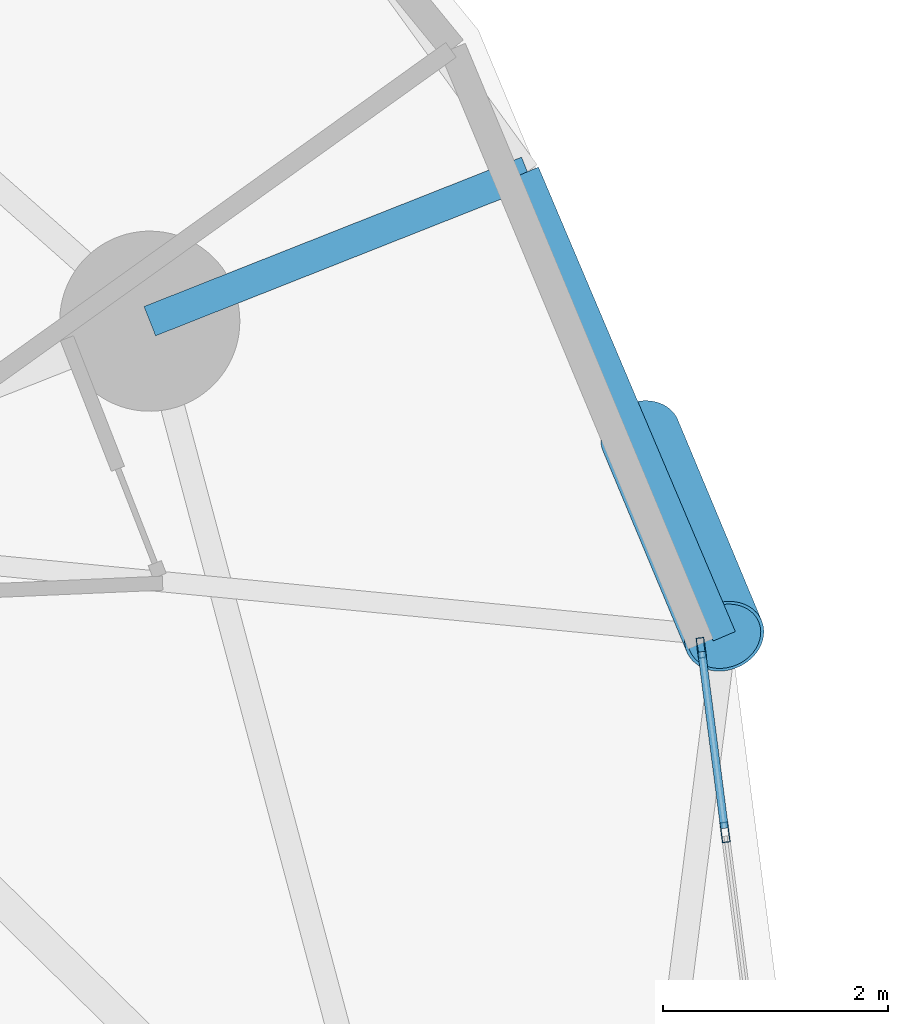
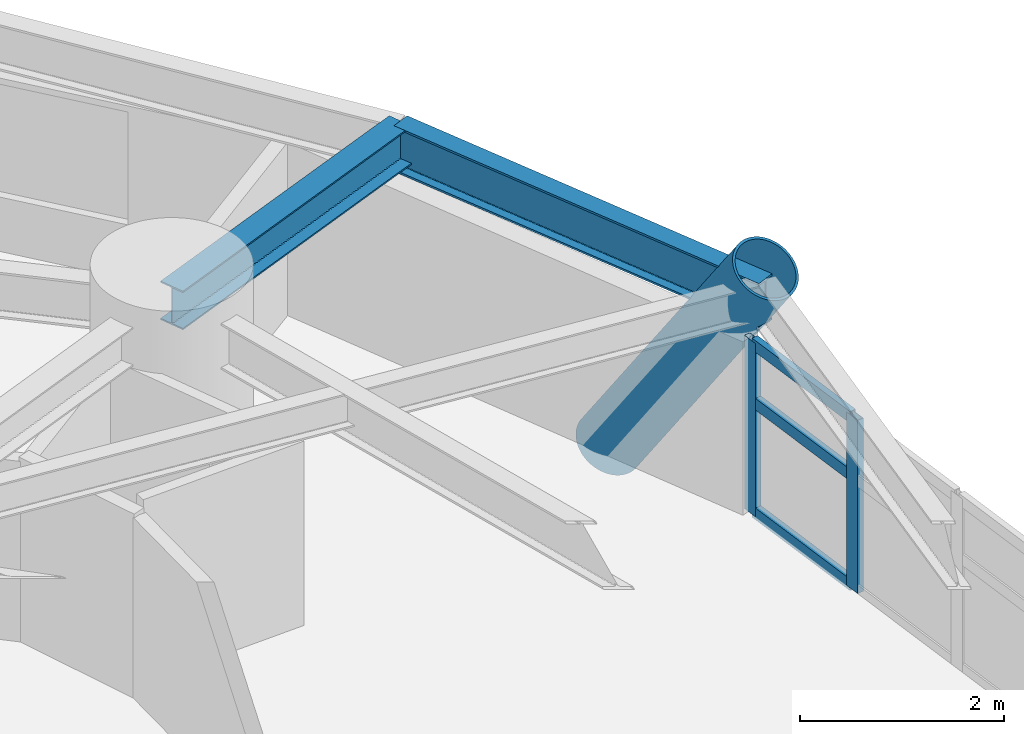
# One storey, part 4 of 18: 6 members, 2 beams, 1 element without a shape of its own.
"""IFC4 building model written with IfcOpenShell, lengths in metres."""

from ifc_helpers import new_model, si_unit, direction, frame, origin, origin_2d, place, context, subcontext, project, spatial, hollow_rectangle, hollow_circle, i_section, extrude, material, layer, layer_set, material_profile, profile_set, type_object, element, aggregate, save


model = new_model("IFC4")

# Units and contexts
model_context = context("Model", 3, precision=1e-05, world=origin(), true_north=direction((0.0, 1.0)))
body_context = subcontext(model_context, "Body", "Model", "MODEL_VIEW")
ifc_project = project(units=[si_unit("LENGTHUNIT", "METRE"), si_unit("AREAUNIT", "SQUARE_METRE"), si_unit("VOLUMEUNIT", "CUBIC_METRE"), si_unit("PLANEANGLEUNIT", "RADIAN"), si_unit("MASSUNIT", "GRAM", prefix="KILO")], contexts=[model_context])

# Site, building, storey
site_placement = place(None, origin())
site = spatial("IfcSite", under=ifc_project, at=site_placement, CompositionType="ELEMENT")
building_placement = place(site_placement, origin())
building = spatial("IfcBuilding", under=site, at=building_placement, Name="Cununo Teusaquillo Station Towers", CompositionType="ELEMENT")
storey_placement = place(building_placement, frame((0.0, 0.0, 36.550048828125)))
storey = spatial("IfcBuildingStorey", under=building, at=storey_placement, Name="L10", CompositionType="ELEMENT", Elevation=36.550048828125)

# Beams
ifc_material_1 = material(Name="Steel ASTM A572 Grade 50", Category="steel")
ifc_material_profile_1 = material_profile(ifc_material_1, i_section(OverallWidth=0.280029296875, OverallDepth=0.462890625, WebThickness=0.0107421875, FlangeThickness=0.017333984375, FilletRadius=0.013916015625, at=origin_2d()), Name="W18X76")
ifc_profile_set_1 = profile_set([ifc_material_profile_1], Name="Steel ASTM A572 Grade 50")
beam_type_1 = type_object("IfcBeamType", Name="BM-RAD-G1", PredefinedType="BEAM", material=ifc_profile_set_1)
beam_1_placement = place(storey_placement, frame((26.347412109375, 33.228515625, 2.41845703125), z_axis=(0.92986596044, 0.367898485476, 0.0), x_axis=(-0.367898485476, 0.92986596044, 0.0)))
element("IfcBeam", 1, at=beam_1_placement, inside=storey, type_object=beam_type_1, Name="L10 Tower A Perimeter Overhang Girder 02B", PredefinedType="BEAM", context=body_context, shape_type="SweptSolid", body=[
    extrude(i_section(OverallWidth=0.280029296875, OverallDepth=0.462890625, WebThickness=0.0107421875, FlangeThickness=0.017333984375, FilletRadius=0.013916015625, at=origin_2d()), origin(), (0.0, 0.0, 1.0), 3.606689453125),
])
ifc_material_2 = material(Name="Steel ASTM A572 Grade 50", Category="steel")
ifc_material_profile_2 = material_profile(ifc_material_2, i_section(OverallWidth=0.214111328125, OverallDepth=0.549072265625, WebThickness=0.0146484375, FlangeThickness=0.023681640625, FilletRadius=0.014892578125, at=origin_2d()), Name="W21X93")
ifc_profile_set_2 = profile_set([ifc_material_profile_2], Name="Steel ASTM A572 Grade 50")
beam_type_2 = type_object("IfcBeamType", Name="BM-RING-Z1", PredefinedType="SPANDREL", material=ifc_profile_set_2)
beam_2_placement = place(storey_placement, frame((31.44970703125, 30.429931640625, 2.37548828125), z_axis=(-0.390233589069, 0.920715887754, 0.0), x_axis=(-0.920715887754, -0.390233589069, 0.0)))
element("IfcBeam", 2, at=beam_2_placement, inside=storey, type_object=beam_type_2, Name="L10 Tower A Spandrel Ring Beam 02", PredefinedType="SPANDREL", context=body_context, shape_type="SweptSolid", body=[
    extrude(i_section(OverallWidth=0.214111328125, OverallDepth=0.549072265625, WebThickness=0.0146484375, FlangeThickness=0.023681640625, FilletRadius=0.014892578125, at=origin_2d()), origin(), (0.0, 0.0, 1.0), 4.480712890625),
])

# Curtain wall, members
ifc_material_3 = material(Name="Ceramic-fritted dark low-E double glazing", Category="glass")
ifc_layer = layer(ifc_material_3, 0.179931640625)
ifc_layer_set = layer_set([ifc_layer], Name="Ceramic-fritted dark low-E double glazing")
curtain_wall_type = type_object("IfcCurtainWallType", Name="CW-SYS-02", PredefinedType="USERDEFINED", material=ifc_layer_set)
curtain_wall_placement = place(storey_placement, origin())
curtain_wall = element("IfcCurtainWall", 3, at=curtain_wall_placement, inside=storey, type_object=curtain_wall_type, Name="L10 Tower A Facade Curtain Wall C00", ObjectType="FRITTED GLAZING", PredefinedType="USERDEFINED")
ifc_material_4 = material(Name="Anodised dark bronze aluminium EN AW-6063-T6", Category="aluminium")
ifc_material_profile_3 = material_profile(ifc_material_4, hollow_rectangle(XDim=0.070068359375, YDim=0.179931640625, WallThickness=0.00390625, at=origin_2d()), Name="CW-MULL-70x180")
ifc_profile_set_3 = profile_set([ifc_material_profile_3], Name="Anodised dark bronze aluminium EN AW-6063-T6")
member_type_1 = type_object("IfcMemberType", Name="CWM-180", PredefinedType="MULLION", material=ifc_profile_set_3)
member_1_placement = place(storey_placement, frame((31.244873046875, 30.327392578125, 0.0), z_axis=(0.0, 0.0, 1.0), x_axis=(0.991730798481, 0.128335588771, 0.0)))
member_1 = element("IfcMember", 4, at=member_1_placement, type_object=member_type_1, Name="CW-02 mullion 1", PredefinedType="MULLION", context=body_context, shape_type="SweptSolid", body=[
    extrude(hollow_rectangle(XDim=0.070068359375, YDim=0.179931640625, WallThickness=0.00390625, at=origin_2d()), origin(), (0.0, 0.0, 1.0), 2.072998046875),
])
member_2_placement = place(storey_placement, frame((31.456787109375, 28.68896484375, 0.0), z_axis=(0.0, 0.0, 1.0), x_axis=(0.991730798481, 0.128335588771, 0.0)))
member_2 = element("IfcMember", 5, at=member_2_placement, type_object=member_type_1, Name="CW-02 mullion 2", PredefinedType="MULLION", context=body_context, shape_type="SweptSolid", body=[
    extrude(hollow_rectangle(XDim=0.070068359375, YDim=0.179931640625, WallThickness=0.00390625, at=origin_2d()), origin(), (0.0, 0.0, 1.0), 2.072998046875),
])
ifc_material_5 = material(Name="Anodised dark bronze aluminium EN AW-6063-T6", Category="aluminium")
ifc_material_profile_4 = material_profile(ifc_material_5, hollow_rectangle(XDim=0.070068359375, YDim=0.139892578125, WallThickness=0.00390625, at=origin_2d()), Name="CW-TRAN-70x140")
ifc_profile_set_4 = profile_set([ifc_material_profile_4], Name="Anodised dark bronze aluminium EN AW-6063-T6")
member_type_2 = type_object("IfcMemberType", Name="CWT-140", PredefinedType="USERDEFINED", material=ifc_profile_set_4)
member_3_placement = place(storey_placement, frame((31.249267578125, 30.292724609375, 0.034912109375), z_axis=(0.128402247984, -0.991722170123, 0.0), x_axis=(0.991722170123, 0.128402247984, 0.0)))
member_3 = element("IfcMember", 6, at=member_3_placement, type_object=member_type_2, Name="CW-02 transom 1.1", ObjectType="TRANSOM", PredefinedType="USERDEFINED", context=body_context, shape_type="SweptSolid", body=[
    extrude(hollow_rectangle(XDim=0.070068359375, YDim=0.139892578125, WallThickness=0.00390625, at=origin_2d()), origin(), (0.0, 0.0, 1.0), 1.58203125),
])
member_4_placement = place(storey_placement, frame((31.249267578125, 30.292724609375, 1.346923828125), z_axis=(0.128402247984, -0.991722170123, 0.0), x_axis=(0.991722170123, 0.128402247984, 0.0)))
member_4 = element("IfcMember", 7, at=member_4_placement, type_object=member_type_2, Name="CW-02 transom 1.2", ObjectType="TRANSOM", PredefinedType="USERDEFINED", context=body_context, shape_type="SweptSolid", body=[
    extrude(hollow_rectangle(XDim=0.070068359375, YDim=0.139892578125, WallThickness=0.00390625, at=origin_2d()), origin(), (0.0, 0.0, 1.0), 1.58203125),
])
member_5_placement = place(storey_placement, frame((31.249267578125, 30.292724609375, 2.037841796875), z_axis=(0.128402247984, -0.991722170123, 0.0), x_axis=(0.991722170123, 0.128402247984, 0.0)))
member_5 = element("IfcMember", 8, at=member_5_placement, type_object=member_type_2, Name="CW-02 transom 1.3", ObjectType="TRANSOM", PredefinedType="USERDEFINED", context=body_context, shape_type="SweptSolid", body=[
    extrude(hollow_rectangle(XDim=0.070068359375, YDim=0.139892578125, WallThickness=0.00390625, at=origin_2d()), origin(), (0.0, 0.0, 1.0), 1.58203125),
])
aggregate(curtain_wall, [member_1, member_2, member_3, member_4, member_5])

# Member
ifc_material_6 = material(Name="Steel EN 10025-2 S355J2", Category="steel")
ifc_material_profile_5 = material_profile(ifc_material_6, hollow_circle(Radius=0.360107421875, WallThickness=0.028076171875, at=origin_2d()), Name="CHS 720x28")
ifc_profile_set_5 = profile_set([ifc_material_profile_5], Name="Steel EN 10025-2 S355J2")
member_type_3 = type_object("IfcMemberType", Name="MBR-DIAG-Z1", PredefinedType="BRACE", material=ifc_profile_set_5)
member_6_placement = place(storey_placement, frame((30.705322265625, 32.213134765625, -0.14013671875), z_axis=(0.213091138794, -0.51046824459, 0.833075229396), x_axis=(0.922822536657, 0.385225344231, 0.0)))
element("IfcMember", 9, at=member_6_placement, inside=storey, type_object=member_type_3, Name="L10 Tower A Folded-Zigzag Diagrid Tube C01", PredefinedType="BRACE", context=body_context, shape_type="SweptSolid", body=[
    extrude(hollow_circle(Radius=0.360107421875, WallThickness=0.028076171875, at=origin_2d()), origin(), (0.0, 0.0, 1.0), 3.4931640625),
])

save(model, "model.ifc")
